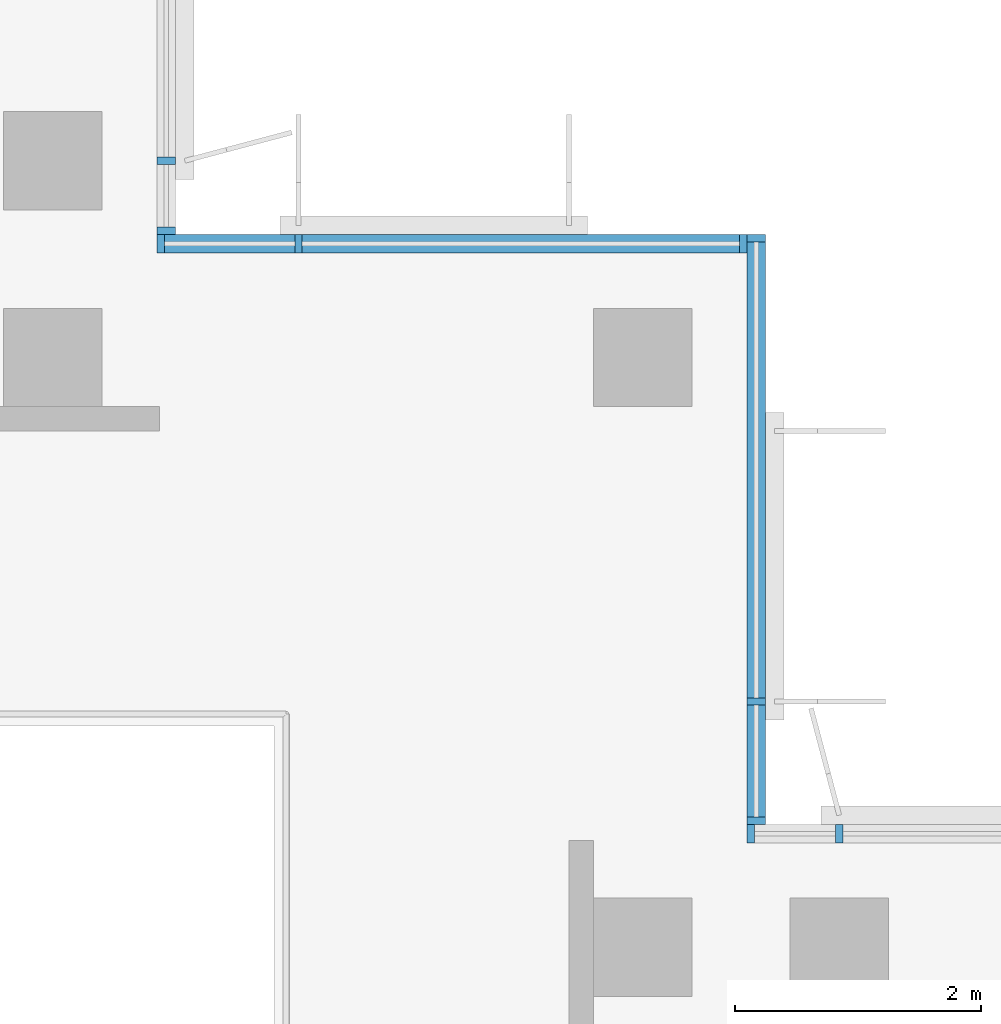
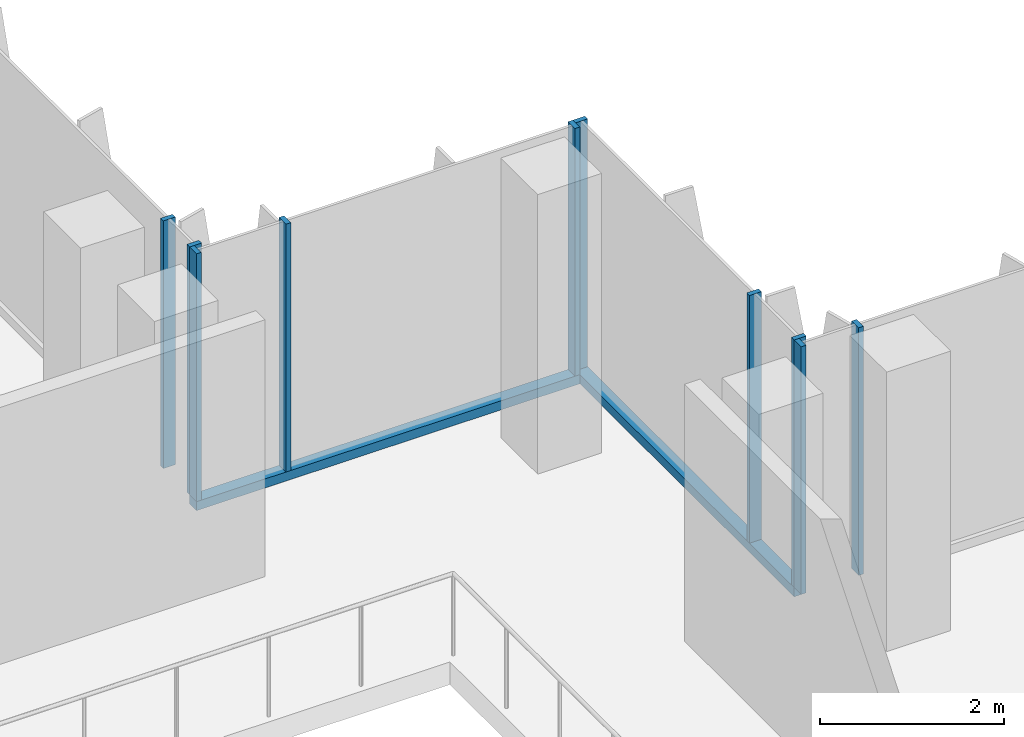
# One storey, part 2 of 15: 12 members, 4 elements without a shape of their own.
"""IFC4 building model written with IfcOpenShell, lengths in metres."""

from ifc_helpers import new_model, si_unit, direction, frame, origin, origin_2d, place, context, subcontext, project, spatial, rectangle, extrude, source, transform, mapped, material, material_profile, profile_set, type_object, element, aggregate, save


model = new_model("IFC4")

# Units and contexts
model_context = context("Model", 3, precision=1e-05, world=origin(), true_north=direction((0.0, 1.0)))
body_context = subcontext(model_context, "Body", "Model", "MODEL_VIEW")
ifc_project = project(units=[si_unit("LENGTHUNIT", "METRE"), si_unit("AREAUNIT", "SQUARE_METRE"), si_unit("VOLUMEUNIT", "CUBIC_METRE"), si_unit("PLANEANGLEUNIT", "RADIAN"), si_unit("MASSUNIT", "GRAM", prefix="KILO")], contexts=[model_context])

# Site, building, storey
site_placement = place(None, origin())
site = spatial("IfcSite", under=ifc_project, at=site_placement, CompositionType="ELEMENT")
building_placement = place(site_placement, origin())
building = spatial("IfcBuilding", under=site, at=building_placement, Name="Kemantara Hotel Tower", CompositionType="ELEMENT")
storey_placement = place(building_placement, frame((0.0, 0.0, 294.39990234375)))
storey = spatial("IfcBuildingStorey", under=building, at=storey_placement, Name="L74", CompositionType="ELEMENT", Elevation=294.39990234375)

# Curtain wall, member
ifc_material_1 = material(Name="Low-E tinted double insulated glass 36 mm", Category="glass")
curtain_wall_type = type_object("IfcCurtainWallType", Name="TOWER CURTAIN WALL, FRONT FACES", PredefinedType="USERDEFINED", material=ifc_material_1)
curtain_wall_1_placement = place(storey_placement, origin())
curtain_wall_1 = element("IfcCurtainWall", 1, at=curtain_wall_1_placement, inside=storey, type_object=curtain_wall_type, Name="CW4 L74 T4-R13-1", ObjectType="TOWER CURTAIN WALL, FRONT FACES", PredefinedType="USERDEFINED")
ifc_material_2 = material(Name="Aluminium 6063-T6 bronze anodised", Category="aluminium")
ifc_material_profile_1 = material_profile(ifc_material_2, rectangle(XDim=0.14990234375, YDim=0.1201171875, at=origin_2d()), Name="TOWER CURTAIN WALL, FRONT FACES TRANSOM")
ifc_profile_set_1 = profile_set([ifc_material_profile_1], Name="Aluminium 6063-T6 bronze anodised")
member_type_1 = type_object("IfcMemberType", Name="TOWER CURTAIN WALL, FRONT FACES TRANSOM", PredefinedType="USERDEFINED", material=ifc_profile_set_1)
member_1_placement = place(storey_placement, frame((26.72509765625, 22.0, 0.06005859375), z_axis=(0.0, 1.0, 0.0), x_axis=(-1.0, 0.0, 0.0)))
member_1 = element("IfcMember", 2, at=member_1_placement, type_object=member_type_1, Name="CW4 sill transom T4-R13-1", ObjectType="TRANSOM", PredefinedType="USERDEFINED", context=body_context, shape_type="SweptSolid", body=[
    extrude(rectangle(XDim=0.14990234375, YDim=0.1201171875, at=origin_2d()), origin(), (0.0, 0.0, 1.0), 4.800048828125),
])

curtain_wall_2_placement = place(storey_placement, origin())
curtain_wall_2 = element("IfcCurtainWall", 3, at=curtain_wall_2_placement, inside=storey, type_object=curtain_wall_type, Name="CW4 L74 T4-R14-1", ObjectType="TOWER CURTAIN WALL, FRONT FACES", PredefinedType="USERDEFINED")
member_2_placement = place(storey_placement, frame((26.64990234375, 26.72509765625, 0.06005859375), z_axis=(-1.0, 0.0, 0.0), x_axis=(0.0, -1.0, 0.0)))
member_2 = element("IfcMember", 4, at=member_2_placement, type_object=member_type_1, Name="CW4 sill transom T4-R14-1", ObjectType="TRANSOM", PredefinedType="USERDEFINED", context=body_context, shape_type="SweptSolid", body=[
    extrude(rectangle(XDim=0.14990234375, YDim=0.1201171875, at=origin_2d()), origin(), (0.0, 0.0, 1.0), 4.7998046875),
])

# Curtain wall, members
curtain_wall_3_placement = place(storey_placement, origin())
curtain_wall_3 = element("IfcCurtainWall", 5, at=curtain_wall_3_placement, inside=storey, type_object=curtain_wall_type, Name="CW4 L74 T4-R12-1", ObjectType="TOWER CURTAIN WALL, FRONT FACES", PredefinedType="USERDEFINED")
ifc_material_profile_2 = material_profile(ifc_material_2, rectangle(XDim=0.14990234375, YDim=0.06005859375, at=origin_2d()), Name="TOWER CURTAIN WALL, FRONT FACES MULLION")
ifc_profile_set_2 = profile_set([ifc_material_profile_2], Name="Aluminium 6063-T6 bronze anodised")
member_type_2 = type_object("IfcMemberType", Name="TOWER CURTAIN WALL, FRONT FACES MULLION", PredefinedType="MULLION", material=ifc_profile_set_2)
shared_shape = source(origin(), body_context, "Body", "SweptSolid", [
    extrude(rectangle(XDim=0.14990234375, YDim=0.06005859375, at=origin_2d()), origin(), (0.0, 0.0, 1.0), 3.280029296875),
])
member_3_placement = place(storey_placement, frame((27.39990234375, 21.925048828125, 0.1201171875), z_axis=(0.0, 0.0, 1.0), x_axis=(0.0, -1.0, 0.0)))
member_3 = element("IfcMember", 6, at=member_3_placement, type_object=member_type_2, Name="CW4 mullion T4-R12-1.5", PredefinedType="MULLION", context=body_context, shape_type="MappedRepresentation", body=[
    mapped(shared_shape, transform((0.0, 0.0, 0.0))),
])
member_4_placement = place(storey_placement, frame((26.679931640625, 21.925048828125, 0.1201171875), z_axis=(0.0, 0.0, 1.0), x_axis=(0.0, -1.0, 0.0)))
member_4 = element("IfcMember", 7, at=member_4_placement, type_object=member_type_2, Name="CW4 mullion T4-R12-1.6", PredefinedType="MULLION", context=body_context, shape_type="MappedRepresentation", body=[
    mapped(shared_shape, transform((0.0, 0.0, 0.0))),
])
aggregate(curtain_wall_3, [member_3, member_4])

# Member
member_5_placement = place(storey_placement, frame((26.72509765625, 22.030029296875, 0.1201171875), z_axis=(0.0, 0.0, 1.0), x_axis=(-1.0, 0.0, 0.0)))
member_5 = element("IfcMember", 8, at=member_5_placement, type_object=member_type_2, Name="CW4 mullion T4-R13-1.1", PredefinedType="MULLION", context=body_context, shape_type="MappedRepresentation", body=[
    mapped(shared_shape, transform((0.0, 0.0, 0.0))),
])

member_6_placement = place(storey_placement, frame((26.72509765625, 23.0, 0.1201171875), z_axis=(0.0, 0.0, 1.0), x_axis=(-1.0, 0.0, 0.0)))
member_6 = element("IfcMember", 9, at=member_6_placement, type_object=member_type_2, Name="CW4 mullion T4-R13-1.2", PredefinedType="MULLION", context=body_context, shape_type="MappedRepresentation", body=[
    mapped(shared_shape, transform((0.0, 0.0, 0.0))),
])

member_7_placement = place(storey_placement, frame((26.72509765625, 26.77001953125, 0.1201171875), z_axis=(0.0, 0.0, 1.0), x_axis=(-1.0, 0.0, 0.0)))
member_7 = element("IfcMember", 10, at=member_7_placement, type_object=member_type_2, Name="CW4 mullion T4-R13-1.3", PredefinedType="MULLION", context=body_context, shape_type="MappedRepresentation", body=[
    mapped(shared_shape, transform((0.0, 0.0, 0.0))),
])

aggregate(curtain_wall_1, [member_1, member_5, member_6, member_7])

member_8_placement = place(storey_placement, frame((26.6201171875, 26.72509765625, 0.1201171875), z_axis=(0.0, 0.0, 1.0), x_axis=(0.0, -1.0, 0.0)))
member_8 = element("IfcMember", 11, at=member_8_placement, type_object=member_type_2, Name="CW4 mullion T4-R14-1.1", PredefinedType="MULLION", context=body_context, shape_type="MappedRepresentation", body=[
    mapped(shared_shape, transform((0.0, 0.0, 0.0))),
])

member_9_placement = place(storey_placement, frame((23.0, 26.72509765625, 0.1201171875), z_axis=(0.0, 0.0, 1.0), x_axis=(0.0, -1.0, 0.0)))
member_9 = element("IfcMember", 12, at=member_9_placement, type_object=member_type_2, Name="CW4 mullion T4-R14-1.2", PredefinedType="MULLION", context=body_context, shape_type="MappedRepresentation", body=[
    mapped(shared_shape, transform((0.0, 0.0, 0.0))),
])

member_10_placement = place(storey_placement, frame((21.8798828125, 26.72509765625, 0.1201171875), z_axis=(0.0, 0.0, 1.0), x_axis=(0.0, -1.0, 0.0)))
member_10 = element("IfcMember", 13, at=member_10_placement, type_object=member_type_2, Name="CW4 mullion T4-R14-1.3", PredefinedType="MULLION", context=body_context, shape_type="MappedRepresentation", body=[
    mapped(shared_shape, transform((0.0, 0.0, 0.0))),
])

aggregate(curtain_wall_2, [member_2, member_8, member_9, member_10])

# Curtain wall, members
curtain_wall_4_placement = place(storey_placement, origin())
curtain_wall_4 = element("IfcCurtainWall", 14, at=curtain_wall_4_placement, inside=storey, type_object=curtain_wall_type, Name="CW4 L74 T4-R15-1", ObjectType="TOWER CURTAIN WALL, FRONT FACES", PredefinedType="USERDEFINED")
member_11_placement = place(storey_placement, frame((21.925048828125, 26.830078125, 0.1201171875), z_axis=(0.0, 0.0, 1.0), x_axis=(-1.0, 0.0, 0.0)))
member_11 = element("IfcMember", 15, at=member_11_placement, type_object=member_type_2, Name="CW4 mullion T4-R15-1.1", PredefinedType="MULLION", context=body_context, shape_type="MappedRepresentation", body=[
    mapped(shared_shape, transform((0.0, 0.0, 0.0))),
])
member_12_placement = place(storey_placement, frame((21.925048828125, 27.39990234375, 0.1201171875), z_axis=(0.0, 0.0, 1.0), x_axis=(-1.0, 0.0, 0.0)))
member_12 = element("IfcMember", 16, at=member_12_placement, type_object=member_type_2, Name="CW4 mullion T4-R15-1.2", PredefinedType="MULLION", context=body_context, shape_type="MappedRepresentation", body=[
    mapped(shared_shape, transform((0.0, 0.0, 0.0))),
])
aggregate(curtain_wall_4, [member_11, member_12])

save(model, "model.ifc")
